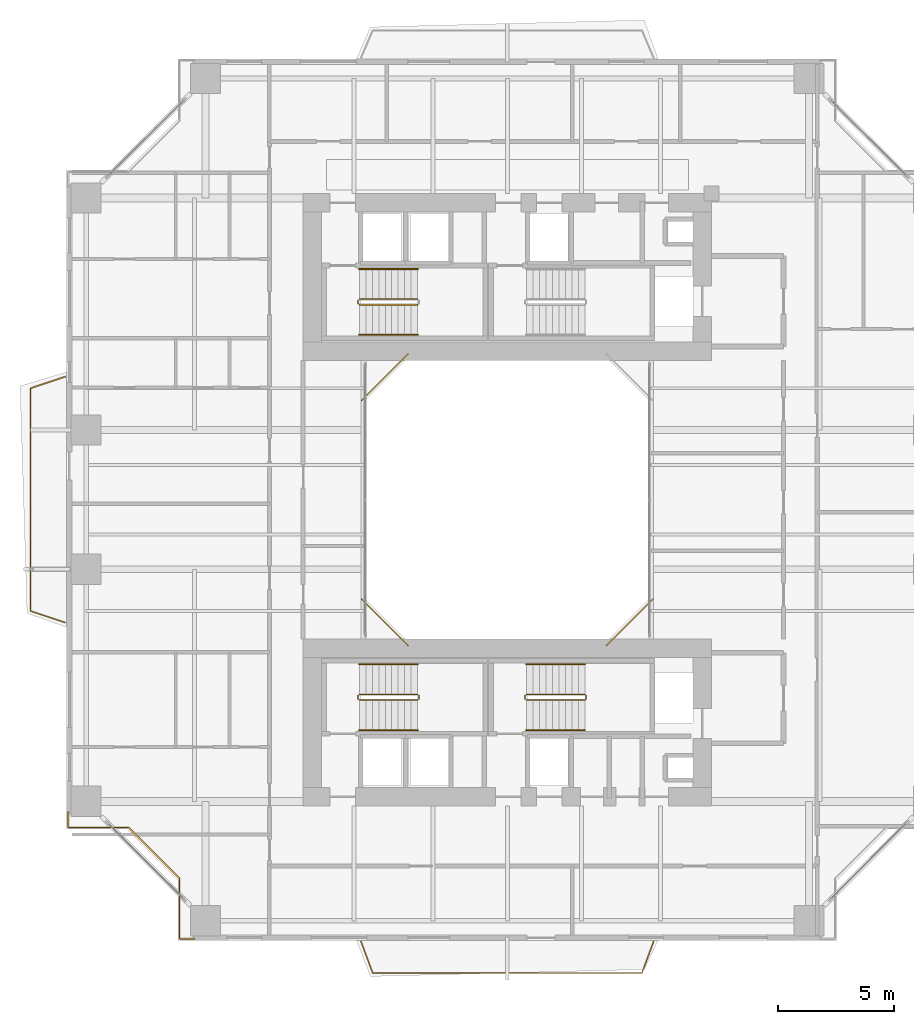
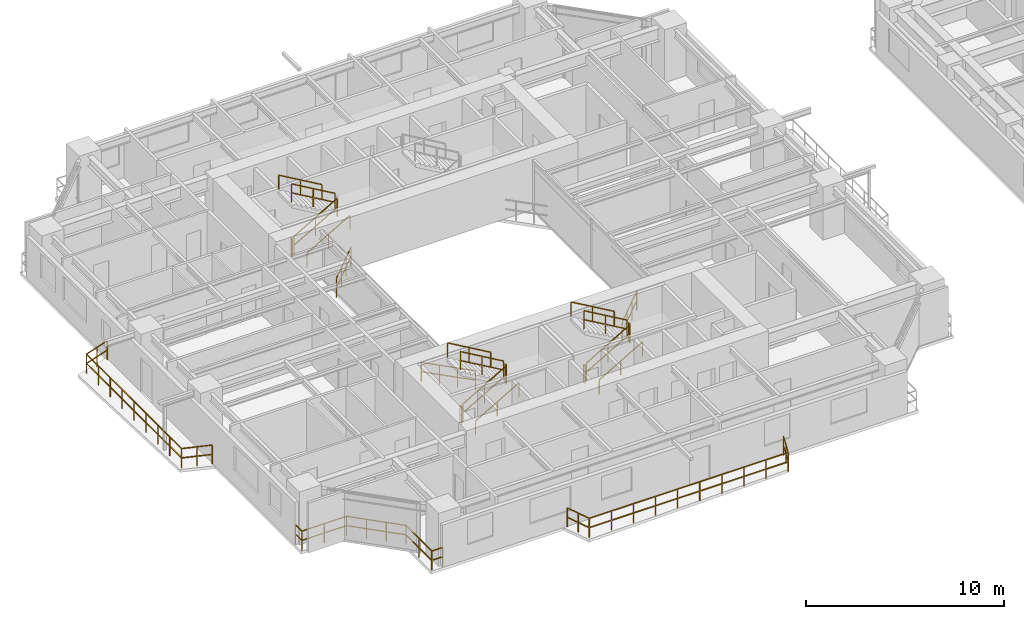
# One storey, part 20 of 23: 23 railings.
"""IFC4 building model written with IfcOpenShell, lengths in metres."""

from ifc_helpers import new_model, si_unit, direction, frame, origin, origin_2d, place, context, subcontext, project, spatial, rectangle, extrude, material, type_object, element, save


model = new_model("IFC4")

# Units and contexts
model_context = context("Model", 3, precision=1e-05, world=origin(), true_north=direction((0.0, 1.0)))
body_context = subcontext(model_context, "Body", "Model", "MODEL_VIEW")
ifc_project = project(units=[si_unit("LENGTHUNIT", "METRE"), si_unit("AREAUNIT", "SQUARE_METRE"), si_unit("VOLUMEUNIT", "CUBIC_METRE"), si_unit("PLANEANGLEUNIT", "RADIAN"), si_unit("MASSUNIT", "GRAM", prefix="KILO"), si_unit("THERMODYNAMICTEMPERATUREUNIT", "KELVIN"), si_unit("POWERUNIT", "WATT")], contexts=[model_context])

# Site, building, storey
site_placement = place(None, origin())
site = spatial("IfcSite", under=ifc_project, at=site_placement, CompositionType="ELEMENT")
building_placement = place(site_placement, origin())
building = spatial("IfcBuilding", under=site, at=building_placement, Name="Qiaomeng Ring Towers", CompositionType="ELEMENT")
storey_placement = place(building_placement, frame((0.0, 0.0, 66.5)))
storey = spatial("IfcBuildingStorey", under=building, at=storey_placement, Name="L18", CompositionType="ELEMENT", Elevation=66.5)

# Railings
ifc_material_1 = material(Name="Low-E pale-green laminated safety glass", Category="glass")
railing_type_1 = type_object("IfcRailingType", Name="ARC-RL-BAL1", PredefinedType="BALUSTRADE", material=ifc_material_1)
railing_1_placement = place(storey_placement, frame((23.280029296875, 16.719970703125, 0.0)))
element("IfcRailing", 1, at=railing_1_placement, inside=storey, type_object=railing_type_1, Name="L18 Balustrade ARC-BAL-WELL1-L18-1", PredefinedType="BALUSTRADE", context=body_context, shape_type="SweptSolid", body=[
    extrude(rectangle(XDim=0.048095703125, YDim=0.048095703125, at=origin_2d()), frame((0.0, 0.0, 1.17578125), z_axis=(0.707106781187, 0.707106781187, 0.0), x_axis=(-0.707106781187, 0.707106781187, 0.0)), (0.0, 0.0, 1.0), 2.828369140625),
    extrude(rectangle(XDim=0.048095703125, YDim=0.048095703125, at=origin_2d()), frame((0.0, 0.0, 0.60009765625), z_axis=(0.707106781187, 0.707106781187, 0.0), x_axis=(-0.707106781187, 0.707106781187, 0.0)), (0.0, 0.0, 1.0), 2.828369140625),
    extrude(rectangle(XDim=0.0419921875, YDim=0.0419921875, at=origin_2d()), origin(), (0.0, 0.0, 1.0), 1.15185546875),
    extrude(rectangle(XDim=0.0419921875, YDim=0.0419921875, at=origin_2d()), frame((0.666748046875, 0.666748046875, 0.0)), (0.0, 0.0, 1.0), 1.15185546875),
    extrude(rectangle(XDim=0.0419921875, YDim=0.0419921875, at=origin_2d()), frame((1.333251953125, 1.333251953125, 0.0)), (0.0, 0.0, 1.0), 1.15185546875),
    extrude(rectangle(XDim=0.0419921875, YDim=0.0419921875, at=origin_2d()), frame((2.0, 2.0, 0.0)), (0.0, 0.0, 1.0), 1.15185546875),
])
railing_2_placement = place(storey_placement, frame((14.719970703125, 29.280029296875, 0.0)))
element("IfcRailing", 2, at=railing_2_placement, inside=storey, type_object=railing_type_1, Name="L18 Balustrade ARC-BAL-WELL1-L18-3", PredefinedType="BALUSTRADE", context=body_context, shape_type="SweptSolid", body=[
    extrude(rectangle(XDim=0.048095703125, YDim=0.048095703125, at=origin_2d()), frame((0.0, 0.0, 1.17578125), z_axis=(-0.707106781187, -0.707106781187, 0.0), x_axis=(0.707106781187, -0.707106781187, 0.0)), (0.0, 0.0, 1.0), 2.828369140625),
    extrude(rectangle(XDim=0.048095703125, YDim=0.048095703125, at=origin_2d()), frame((0.0, 0.0, 0.60009765625), z_axis=(-0.707106781187, -0.707106781187, 0.0), x_axis=(0.707106781187, -0.707106781187, 0.0)), (0.0, 0.0, 1.0), 2.828369140625),
    extrude(rectangle(XDim=0.0419921875, YDim=0.0419921875, at=origin_2d()), origin(), (0.0, 0.0, 1.0), 1.15185546875),
    extrude(rectangle(XDim=0.0419921875, YDim=0.0419921875, at=origin_2d()), frame((-0.666748046875, -0.666748046875, 0.0)), (0.0, 0.0, 1.0), 1.15185546875),
    extrude(rectangle(XDim=0.0419921875, YDim=0.0419921875, at=origin_2d()), frame((-1.333251953125, -1.333251953125, 0.0)), (0.0, 0.0, 1.0), 1.15185546875),
    extrude(rectangle(XDim=0.0419921875, YDim=0.0419921875, at=origin_2d()), frame((-2.0, -2.0, 0.0)), (0.0, 0.0, 1.0), 1.15185546875),
])
railing_3_placement = place(storey_placement, frame((12.719970703125, 18.719970703125, 0.0)))
element("IfcRailing", 3, at=railing_3_placement, inside=storey, type_object=railing_type_1, Name="L18 Balustrade ARC-BAL-WELL1-L18-4", PredefinedType="BALUSTRADE", context=body_context, shape_type="SweptSolid", body=[
    extrude(rectangle(XDim=0.048095703125, YDim=0.048095703125, at=origin_2d()), frame((0.0, 0.0, 1.17578125), z_axis=(0.707106781187, -0.707106781187, 0.0), x_axis=(0.707106781187, 0.707106781187, 0.0)), (0.0, 0.0, 1.0), 2.828369140625),
    extrude(rectangle(XDim=0.048095703125, YDim=0.048095703125, at=origin_2d()), frame((0.0, 0.0, 0.60009765625), z_axis=(0.707106781187, -0.707106781187, 0.0), x_axis=(0.707106781187, 0.707106781187, 0.0)), (0.0, 0.0, 1.0), 2.828369140625),
    extrude(rectangle(XDim=0.0419921875, YDim=0.0419921875, at=origin_2d()), origin(), (0.0, 0.0, 1.0), 1.15185546875),
    extrude(rectangle(XDim=0.0419921875, YDim=0.0419921875, at=origin_2d()), frame((0.666748046875, -0.666748046875, 0.0)), (0.0, 0.0, 1.0), 1.15185546875),
    extrude(rectangle(XDim=0.0419921875, YDim=0.0419921875, at=origin_2d()), frame((1.333251953125, -1.333251953125, 0.0)), (0.0, 0.0, 1.0), 1.15185546875),
    extrude(rectangle(XDim=0.0419921875, YDim=0.0419921875, at=origin_2d()), frame((2.0, -2.0, 0.0)), (0.0, 0.0, 1.0), 1.15185546875),
])
railing_4_placement = place(storey_placement, frame((0.080078125, 9.530029296875, 0.0)))
element("IfcRailing", 4, at=railing_4_placement, inside=storey, type_object=railing_type_1, Name="L18 Balustrade ARC-BAL-NOTCH1-L18-SW", PredefinedType="BALUSTRADE", context=body_context, shape_type="SweptSolid", body=[
    extrude(rectangle(XDim=0.048095703125, YDim=0.048095703125, at=origin_2d()), frame((0.0, 0.0, 1.17578125), z_axis=(0.0, -1.0, 0.0), x_axis=(1.0, 0.0, 0.0)), (0.0, 0.0, 1.0), 0.650146484375),
    extrude(rectangle(XDim=0.048095703125, YDim=0.048095703125, at=origin_2d()), frame((0.0, 0.0, 0.60009765625), z_axis=(0.0, -1.0, 0.0), x_axis=(1.0, 0.0, 0.0)), (0.0, 0.0, 1.0), 0.650146484375),
    extrude(rectangle(XDim=0.048095703125, YDim=0.048095703125, at=origin_2d()), frame((0.0, -0.650146484375, 1.17578125), z_axis=(1.0, 0.0, 0.0), x_axis=(0.0, 1.0, 0.0)), (0.0, 0.0, 1.0), 2.599853515625),
    extrude(rectangle(XDim=0.048095703125, YDim=0.048095703125, at=origin_2d()), frame((0.0, -0.650146484375, 0.60009765625), z_axis=(1.0, 0.0, 0.0), x_axis=(0.0, 1.0, 0.0)), (0.0, 0.0, 1.0), 2.599853515625),
    extrude(rectangle(XDim=0.048095703125, YDim=0.048095703125, at=origin_2d()), frame((2.599853515625, -0.650146484375, 1.17578125), z_axis=(0.707106781187, -0.707106781187, 0.0), x_axis=(0.707106781187, 0.707106781187, 0.0)), (0.0, 0.0, 1.0), 3.111083984375),
    extrude(rectangle(XDim=0.048095703125, YDim=0.048095703125, at=origin_2d()), frame((2.599853515625, -0.650146484375, 0.60009765625), z_axis=(0.707106781187, -0.707106781187, 0.0), x_axis=(0.707106781187, 0.707106781187, 0.0)), (0.0, 0.0, 1.0), 3.111083984375),
    extrude(rectangle(XDim=0.048095703125, YDim=0.048095703125, at=origin_2d()), frame((4.7998046875, -2.85009765625, 1.17578125), z_axis=(0.0, -1.0, 0.0), x_axis=(1.0, 0.0, 0.0)), (0.0, 0.0, 1.0), 2.599853515625),
    extrude(rectangle(XDim=0.048095703125, YDim=0.048095703125, at=origin_2d()), frame((4.7998046875, -2.85009765625, 0.60009765625), z_axis=(0.0, -1.0, 0.0), x_axis=(1.0, 0.0, 0.0)), (0.0, 0.0, 1.0), 2.599853515625),
    extrude(rectangle(XDim=0.048095703125, YDim=0.048095703125, at=origin_2d()), frame((4.7998046875, -5.449951171875, 1.17578125), z_axis=(1.0, 0.0, 0.0), x_axis=(0.0, 1.0, 0.0)), (0.0, 0.0, 1.0), 0.650146484375),
    extrude(rectangle(XDim=0.048095703125, YDim=0.048095703125, at=origin_2d()), frame((4.7998046875, -5.449951171875, 0.60009765625), z_axis=(1.0, 0.0, 0.0), x_axis=(0.0, 1.0, 0.0)), (0.0, 0.0, 1.0), 0.650146484375),
    extrude(rectangle(XDim=0.0419921875, YDim=0.0419921875, at=origin_2d()), origin(), (0.0, 0.0, 1.0), 1.15185546875),
    extrude(rectangle(XDim=0.0419921875, YDim=0.0419921875, at=origin_2d()), frame((0.0, -0.650146484375, 0.0)), (0.0, 0.0, 1.0), 1.15185546875),
    extrude(rectangle(XDim=0.0419921875, YDim=0.0419921875, at=origin_2d()), frame((1.2998046875, -0.650146484375, 0.0)), (0.0, 0.0, 1.0), 1.15185546875),
    extrude(rectangle(XDim=0.0419921875, YDim=0.0419921875, at=origin_2d()), frame((2.599853515625, -0.650146484375, 0.0)), (0.0, 0.0, 1.0), 1.15185546875),
    extrude(rectangle(XDim=0.0419921875, YDim=0.0419921875, at=origin_2d()), frame((3.333251953125, -1.383544921875, 0.0)), (0.0, 0.0, 1.0), 1.15185546875),
    extrude(rectangle(XDim=0.0419921875, YDim=0.0419921875, at=origin_2d()), frame((4.06640625, -2.11669921875, 0.0)), (0.0, 0.0, 1.0), 1.15185546875),
    extrude(rectangle(XDim=0.0419921875, YDim=0.0419921875, at=origin_2d()), frame((4.7998046875, -2.85009765625, 0.0)), (0.0, 0.0, 1.0), 1.15185546875),
    extrude(rectangle(XDim=0.0419921875, YDim=0.0419921875, at=origin_2d()), frame((4.7998046875, -4.14990234375, 0.0)), (0.0, 0.0, 1.0), 1.15185546875),
    extrude(rectangle(XDim=0.0419921875, YDim=0.0419921875, at=origin_2d()), frame((4.7998046875, -5.449951171875, 0.0)), (0.0, 0.0, 1.0), 1.15185546875),
    extrude(rectangle(XDim=0.0419921875, YDim=0.0419921875, at=origin_2d()), frame((5.449951171875, -5.449951171875, 0.0)), (0.0, 0.0, 1.0), 1.15185546875),
])
railing_5_placement = place(storey_placement, frame((12.699951171875, 3.949951171875, 0.0)))
element("IfcRailing", 5, at=railing_5_placement, inside=storey, type_object=railing_type_1, Name="L18 Balustrade ARC-BAL-L18-T1-S", PredefinedType="BALUSTRADE", context=body_context, shape_type="SweptSolid", body=[
    extrude(rectangle(XDim=0.048095703125, YDim=0.048095703125, at=origin_2d()), frame((0.0, 0.0, 1.17578125), z_axis=(0.347347498827, -0.937736484871, 0.0), x_axis=(0.937736484871, 0.347347498827, 0.0)), (0.0, 0.0, 1.0), 1.439453125),
    extrude(rectangle(XDim=0.048095703125, YDim=0.048095703125, at=origin_2d()), frame((0.0, 0.0, 0.60009765625), z_axis=(0.347347498827, -0.937736484871, 0.0), x_axis=(0.937736484871, 0.347347498827, 0.0)), (0.0, 0.0, 1.0), 1.439453125),
    extrude(rectangle(XDim=0.048095703125, YDim=0.048095703125, at=origin_2d()), frame((0.5, -1.349853515625, 1.17578125), z_axis=(1.0, 0.0, 0.0), x_axis=(0.0, 1.0, 0.0)), (0.0, 0.0, 1.0), 11.60009765625),
    extrude(rectangle(XDim=0.048095703125, YDim=0.048095703125, at=origin_2d()), frame((0.5, -1.349853515625, 0.60009765625), z_axis=(1.0, 0.0, 0.0), x_axis=(0.0, 1.0, 0.0)), (0.0, 0.0, 1.0), 11.60009765625),
    extrude(rectangle(XDim=0.048095703125, YDim=0.048095703125, at=origin_2d()), frame((12.10009765625, -1.349853515625, 1.17578125), z_axis=(0.347347498827, 0.937736484871, 0.0), x_axis=(-0.937736484871, 0.347347498827, 0.0)), (0.0, 0.0, 1.0), 1.439453125),
    extrude(rectangle(XDim=0.048095703125, YDim=0.048095703125, at=origin_2d()), frame((12.10009765625, -1.349853515625, 0.60009765625), z_axis=(0.347347498827, 0.937736484871, 0.0), x_axis=(-0.937736484871, 0.347347498827, 0.0)), (0.0, 0.0, 1.0), 1.439453125),
    extrude(rectangle(XDim=0.0419921875, YDim=0.0419921875, at=origin_2d()), origin(), (0.0, 0.0, 1.0), 1.15185546875),
    extrude(rectangle(XDim=0.0419921875, YDim=0.0419921875, at=origin_2d()), frame((0.25, -0.6748046875, 0.0)), (0.0, 0.0, 1.0), 1.15185546875),
    extrude(rectangle(XDim=0.0419921875, YDim=0.0419921875, at=origin_2d()), frame((0.5, -1.349853515625, 0.0)), (0.0, 0.0, 1.0), 1.15185546875),
    extrude(rectangle(XDim=0.0419921875, YDim=0.0419921875, at=origin_2d()), frame((1.788818359375, -1.349853515625, 0.0)), (0.0, 0.0, 1.0), 1.15185546875),
    extrude(rectangle(XDim=0.0419921875, YDim=0.0419921875, at=origin_2d()), frame((3.077880859375, -1.349853515625, 0.0)), (0.0, 0.0, 1.0), 1.15185546875),
    extrude(rectangle(XDim=0.0419921875, YDim=0.0419921875, at=origin_2d()), frame((4.36669921875, -1.349853515625, 0.0)), (0.0, 0.0, 1.0), 1.15185546875),
    extrude(rectangle(XDim=0.0419921875, YDim=0.0419921875, at=origin_2d()), frame((5.655517578125, -1.349853515625, 0.0)), (0.0, 0.0, 1.0), 1.15185546875),
    extrude(rectangle(XDim=0.0419921875, YDim=0.0419921875, at=origin_2d()), frame((6.944580078125, -1.349853515625, 0.0)), (0.0, 0.0, 1.0), 1.15185546875),
    extrude(rectangle(XDim=0.0419921875, YDim=0.0419921875, at=origin_2d()), frame((8.2333984375, -1.349853515625, 0.0)), (0.0, 0.0, 1.0), 1.15185546875),
    extrude(rectangle(XDim=0.0419921875, YDim=0.0419921875, at=origin_2d()), frame((9.522216796875, -1.349853515625, 0.0)), (0.0, 0.0, 1.0), 1.15185546875),
    extrude(rectangle(XDim=0.0419921875, YDim=0.0419921875, at=origin_2d()), frame((10.811279296875, -1.349853515625, 0.0)), (0.0, 0.0, 1.0), 1.15185546875),
    extrude(rectangle(XDim=0.0419921875, YDim=0.0419921875, at=origin_2d()), frame((12.10009765625, -1.349853515625, 0.0)), (0.0, 0.0, 1.0), 1.15185546875),
    extrude(rectangle(XDim=0.0419921875, YDim=0.0419921875, at=origin_2d()), frame((12.35009765625, -0.6748046875, 0.0)), (0.0, 0.0, 1.0), 1.15185546875),
    extrude(rectangle(XDim=0.0419921875, YDim=0.0419921875, at=origin_2d()), frame((12.60009765625, 0.0, 0.0)), (0.0, 0.0, 1.0), 1.15185546875),
])
railing_6_placement = place(storey_placement, frame((-0.050048828125, 17.699951171875, 0.0)))
element("IfcRailing", 6, at=railing_6_placement, inside=storey, type_object=railing_type_1, Name="L18 Balustrade ARC-BAL-L18-T1-W", PredefinedType="BALUSTRADE", context=body_context, shape_type="SweptSolid", body=[
    extrude(rectangle(XDim=0.048095703125, YDim=0.048095703125, at=origin_2d()), frame((0.0, 0.0, 1.17578125), z_axis=(-0.948683298051, 0.316227766017, 0.0), x_axis=(-0.316227766017, -0.948683298051, 0.0)), (0.0, 0.0, 1.0), 1.5810546875),
    extrude(rectangle(XDim=0.048095703125, YDim=0.048095703125, at=origin_2d()), frame((0.0, 0.0, 0.60009765625), z_axis=(-0.948683298051, 0.316227766017, 0.0), x_axis=(-0.316227766017, -0.948683298051, 0.0)), (0.0, 0.0, 1.0), 1.5810546875),
    extrude(rectangle(XDim=0.048095703125, YDim=0.048095703125, at=origin_2d()), frame((-1.5, 0.5, 1.17578125), z_axis=(0.0, 1.0, 0.0), x_axis=(-1.0, 0.0, 0.0)), (0.0, 0.0, 1.0), 9.60009765625),
    extrude(rectangle(XDim=0.048095703125, YDim=0.048095703125, at=origin_2d()), frame((-1.5, 0.5, 0.60009765625), z_axis=(0.0, 1.0, 0.0), x_axis=(-1.0, 0.0, 0.0)), (0.0, 0.0, 1.0), 9.60009765625),
    extrude(rectangle(XDim=0.048095703125, YDim=0.048095703125, at=origin_2d()), frame((-1.5, 10.10009765625, 1.17578125), z_axis=(0.948683298051, 0.316227766017, 0.0), x_axis=(-0.316227766017, 0.948683298051, 0.0)), (0.0, 0.0, 1.0), 1.5810546875),
    extrude(rectangle(XDim=0.048095703125, YDim=0.048095703125, at=origin_2d()), frame((-1.5, 10.10009765625, 0.60009765625), z_axis=(0.948683298051, 0.316227766017, 0.0), x_axis=(-0.316227766017, 0.948683298051, 0.0)), (0.0, 0.0, 1.0), 1.5810546875),
    extrude(rectangle(XDim=0.0419921875, YDim=0.0419921875, at=origin_2d()), origin(), (0.0, 0.0, 1.0), 1.15185546875),
    extrude(rectangle(XDim=0.0419921875, YDim=0.0419921875, at=origin_2d()), frame((-0.75, 0.25, 0.0)), (0.0, 0.0, 1.0), 1.15185546875),
    extrude(rectangle(XDim=0.0419921875, YDim=0.0419921875, at=origin_2d()), frame((-1.5, 0.5, 0.0)), (0.0, 0.0, 1.0), 1.15185546875),
    extrude(rectangle(XDim=0.0419921875, YDim=0.0419921875, at=origin_2d()), frame((-1.5, 1.699951171875, 0.0)), (0.0, 0.0, 1.0), 1.15185546875),
    extrude(rectangle(XDim=0.0419921875, YDim=0.0419921875, at=origin_2d()), frame((-1.5, 2.89990234375, 0.0)), (0.0, 0.0, 1.0), 1.15185546875),
    extrude(rectangle(XDim=0.0419921875, YDim=0.0419921875, at=origin_2d()), frame((-1.5, 4.10009765625, 0.0)), (0.0, 0.0, 1.0), 1.15185546875),
    extrude(rectangle(XDim=0.0419921875, YDim=0.0419921875, at=origin_2d()), frame((-1.5, 5.300048828125, 0.0)), (0.0, 0.0, 1.0), 1.15185546875),
    extrude(rectangle(XDim=0.0419921875, YDim=0.0419921875, at=origin_2d()), frame((-1.5, 6.5, 0.0)), (0.0, 0.0, 1.0), 1.15185546875),
    extrude(rectangle(XDim=0.0419921875, YDim=0.0419921875, at=origin_2d()), frame((-1.5, 7.7001953125, 0.0)), (0.0, 0.0, 1.0), 1.15185546875),
    extrude(rectangle(XDim=0.0419921875, YDim=0.0419921875, at=origin_2d()), frame((-1.5, 8.900146484375, 0.0)), (0.0, 0.0, 1.0), 1.15185546875),
    extrude(rectangle(XDim=0.0419921875, YDim=0.0419921875, at=origin_2d()), frame((-1.5, 10.10009765625, 0.0)), (0.0, 0.0, 1.0), 1.15185546875),
    extrude(rectangle(XDim=0.0419921875, YDim=0.0419921875, at=origin_2d()), frame((-0.75, 10.35009765625, 0.0)), (0.0, 0.0, 1.0), 1.15185546875),
    extrude(rectangle(XDim=0.0419921875, YDim=0.0419921875, at=origin_2d()), frame((0.0, 10.60009765625, 0.0)), (0.0, 0.0, 1.0), 1.15185546875),
])
ifc_material_2 = material(Name="Galvanised steel", Category="steel")
railing_type_2 = type_object("IfcRailingType", Name="ARC-RL-GUARD", PredefinedType="GUARDRAIL", material=ifc_material_2)
railing_7_placement = place(storey_placement, frame((12.6201171875, 31.39990234375, 0.16259765625)))
element("IfcRailing", 7, at=railing_7_placement, inside=storey, type_object=railing_type_2, Name="L18 ST1 stair guard 1", PredefinedType="GUARDRAIL", context=body_context, shape_type="SweptSolid", body=[
    extrude(rectangle(XDim=0.048095703125, YDim=0.048095703125, at=origin_2d()), frame((0.0, 0.0, 1.1259765625), z_axis=(0.864892226395, 0.0, 0.501957604506), x_axis=(0.0, 1.0, 0.0)), (0.0, 0.0, 1.0), 2.913330078125),
    extrude(rectangle(XDim=0.048095703125, YDim=0.048095703125, at=origin_2d()), frame((0.0, 0.0, 0.574951171875), z_axis=(0.864892226395, 0.0, 0.501957604506), x_axis=(0.0, 1.0, 0.0)), (0.0, 0.0, 1.0), 2.913330078125),
    extrude(rectangle(XDim=0.0419921875, YDim=0.0419921875, at=origin_2d()), origin(), (0.0, 0.0, 1.0), 1.101806640625),
    extrude(rectangle(XDim=0.0419921875, YDim=0.0419921875, at=origin_2d()), frame((1.259765625, 0.0, 0.731201171875)), (0.0, 0.0, 1.0), 1.101806640625),
    extrude(rectangle(XDim=0.0419921875, YDim=0.0419921875, at=origin_2d()), frame((2.519775390625, 0.0, 1.46240234375)), (0.0, 0.0, 1.0), 1.101806640625),
])
railing_8_placement = place(storey_placement, frame((15.139892578125, 31.639892578125, 1.78759765625)))
element("IfcRailing", 8, at=railing_8_placement, inside=storey, type_object=railing_type_2, Name="L18 ST1 stair guard 3", PredefinedType="GUARDRAIL", context=body_context, shape_type="SweptSolid", body=[
    extrude(rectangle(XDim=0.048095703125, YDim=0.048095703125, at=origin_2d()), frame((0.0, 0.0, 1.1259765625), z_axis=(-0.864892226395, 0.0, 0.501957604506), x_axis=(0.0, -1.0, 0.0)), (0.0, 0.0, 1.0), 2.913330078125),
    extrude(rectangle(XDim=0.048095703125, YDim=0.048095703125, at=origin_2d()), frame((0.0, 0.0, 0.574951171875), z_axis=(-0.864892226395, 0.0, 0.501957604506), x_axis=(0.0, -1.0, 0.0)), (0.0, 0.0, 1.0), 2.913330078125),
    extrude(rectangle(XDim=0.0419921875, YDim=0.0419921875, at=origin_2d()), origin(), (0.0, 0.0, 1.0), 1.101806640625),
    extrude(rectangle(XDim=0.0419921875, YDim=0.0419921875, at=origin_2d()), frame((-1.259765625, 0.0, 0.731201171875)), (0.0, 0.0, 1.0), 1.101806640625),
    extrude(rectangle(XDim=0.0419921875, YDim=0.0419921875, at=origin_2d()), frame((-2.519775390625, 0.0, 1.46240234375)), (0.0, 0.0, 1.0), 1.101806640625),
])
railing_9_placement = place(storey_placement, frame((12.570068359375, 31.449951171875, 0.0)))
element("IfcRailing", 9, at=railing_9_placement, inside=storey, type_object=railing_type_2, Name="L18 ST1 stair guard 4", PredefinedType="GUARDRAIL", context=body_context, shape_type="SweptSolid", body=[
    extrude(rectangle(XDim=0.048095703125, YDim=0.048095703125, at=origin_2d()), frame((0.0, 0.0, 1.1259765625), z_axis=(0.0, 1.0, 0.0), x_axis=(-1.0, 0.0, 0.0)), (0.0, 0.0, 1.0), 0.14013671875),
    extrude(rectangle(XDim=0.048095703125, YDim=0.048095703125, at=origin_2d()), frame((0.0, 0.0, 0.574951171875), z_axis=(0.0, 1.0, 0.0), x_axis=(-1.0, 0.0, 0.0)), (0.0, 0.0, 1.0), 0.14013671875),
    extrude(rectangle(XDim=0.0419921875, YDim=0.0419921875, at=origin_2d()), origin(), (0.0, 0.0, 1.0), 1.101806640625),
    extrude(rectangle(XDim=0.0419921875, YDim=0.0419921875, at=origin_2d()), frame((0.0, 0.14013671875, 0.0)), (0.0, 0.0, 1.0), 1.101806640625),
])
railing_10_placement = place(storey_placement, frame((12.6201171875, 14.360107421875, 0.16259765625)))
element("IfcRailing", 10, at=railing_10_placement, inside=storey, type_object=railing_type_2, Name="L18 ST3 stair guard 1", PredefinedType="GUARDRAIL", context=body_context, shape_type="SweptSolid", body=[
    extrude(rectangle(XDim=0.048095703125, YDim=0.048095703125, at=origin_2d()), frame((0.0, 0.0, 1.1259765625), z_axis=(0.864892226395, 0.0, 0.501957604506), x_axis=(0.0, 1.0, 0.0)), (0.0, 0.0, 1.0), 2.913330078125),
    extrude(rectangle(XDim=0.048095703125, YDim=0.048095703125, at=origin_2d()), frame((0.0, 0.0, 0.574951171875), z_axis=(0.864892226395, 0.0, 0.501957604506), x_axis=(0.0, 1.0, 0.0)), (0.0, 0.0, 1.0), 2.913330078125),
    extrude(rectangle(XDim=0.0419921875, YDim=0.0419921875, at=origin_2d()), origin(), (0.0, 0.0, 1.0), 1.101806640625),
    extrude(rectangle(XDim=0.0419921875, YDim=0.0419921875, at=origin_2d()), frame((1.259765625, 0.0, 0.731201171875)), (0.0, 0.0, 1.0), 1.101806640625),
    extrude(rectangle(XDim=0.0419921875, YDim=0.0419921875, at=origin_2d()), frame((2.519775390625, 0.0, 1.46240234375)), (0.0, 0.0, 1.0), 1.101806640625),
])
railing_11_placement = place(storey_placement, frame((15.18994140625, 14.409912109375, 1.625)))
element("IfcRailing", 11, at=railing_11_placement, inside=storey, type_object=railing_type_2, Name="L18 ST3 stair guard 2", PredefinedType="GUARDRAIL", context=body_context, shape_type="SweptSolid", body=[
    extrude(rectangle(XDim=0.048095703125, YDim=0.048095703125, at=origin_2d()), frame((0.0, 0.0, 1.1259765625), z_axis=(0.0, 1.0, 0.0), x_axis=(-1.0, 0.0, 0.0)), (0.0, 0.0, 1.0), 0.14013671875),
    extrude(rectangle(XDim=0.048095703125, YDim=0.048095703125, at=origin_2d()), frame((0.0, 0.0, 0.574951171875), z_axis=(0.0, 1.0, 0.0), x_axis=(-1.0, 0.0, 0.0)), (0.0, 0.0, 1.0), 0.14013671875),
    extrude(rectangle(XDim=0.0419921875, YDim=0.0419921875, at=origin_2d()), origin(), (0.0, 0.0, 1.0), 1.101806640625),
    extrude(rectangle(XDim=0.0419921875, YDim=0.0419921875, at=origin_2d()), frame((0.0, 0.14013671875, 0.0)), (0.0, 0.0, 1.0), 1.101806640625),
])
railing_12_placement = place(storey_placement, frame((15.139892578125, 14.60009765625, 1.78759765625)))
element("IfcRailing", 12, at=railing_12_placement, inside=storey, type_object=railing_type_2, Name="L18 ST3 stair guard 3", PredefinedType="GUARDRAIL", context=body_context, shape_type="SweptSolid", body=[
    extrude(rectangle(XDim=0.048095703125, YDim=0.048095703125, at=origin_2d()), frame((0.0, 0.0, 1.1259765625), z_axis=(-0.864892226395, 0.0, 0.501957604506), x_axis=(0.0, -1.0, 0.0)), (0.0, 0.0, 1.0), 2.913330078125),
    extrude(rectangle(XDim=0.048095703125, YDim=0.048095703125, at=origin_2d()), frame((0.0, 0.0, 0.574951171875), z_axis=(-0.864892226395, 0.0, 0.501957604506), x_axis=(0.0, -1.0, 0.0)), (0.0, 0.0, 1.0), 2.913330078125),
    extrude(rectangle(XDim=0.0419921875, YDim=0.0419921875, at=origin_2d()), origin(), (0.0, 0.0, 1.0), 1.101806640625),
    extrude(rectangle(XDim=0.0419921875, YDim=0.0419921875, at=origin_2d()), frame((-1.259765625, 0.0, 0.731201171875)), (0.0, 0.0, 1.0), 1.101806640625),
    extrude(rectangle(XDim=0.0419921875, YDim=0.0419921875, at=origin_2d()), frame((-2.519775390625, 0.0, 1.46240234375)), (0.0, 0.0, 1.0), 1.101806640625),
])
railing_13_placement = place(storey_placement, frame((12.570068359375, 14.409912109375, 0.0)))
element("IfcRailing", 13, at=railing_13_placement, inside=storey, type_object=railing_type_2, Name="L18 ST3 stair guard 4", PredefinedType="GUARDRAIL", context=body_context, shape_type="SweptSolid", body=[
    extrude(rectangle(XDim=0.048095703125, YDim=0.048095703125, at=origin_2d()), frame((0.0, 0.0, 1.1259765625), z_axis=(0.0, 1.0, 0.0), x_axis=(-1.0, 0.0, 0.0)), (0.0, 0.0, 1.0), 0.14013671875),
    extrude(rectangle(XDim=0.048095703125, YDim=0.048095703125, at=origin_2d()), frame((0.0, 0.0, 0.574951171875), z_axis=(0.0, 1.0, 0.0), x_axis=(-1.0, 0.0, 0.0)), (0.0, 0.0, 1.0), 0.14013671875),
    extrude(rectangle(XDim=0.0419921875, YDim=0.0419921875, at=origin_2d()), origin(), (0.0, 0.0, 1.0), 1.101806640625),
    extrude(rectangle(XDim=0.0419921875, YDim=0.0419921875, at=origin_2d()), frame((0.0, 0.14013671875, 0.0)), (0.0, 0.0, 1.0), 1.101806640625),
])
railing_14_placement = place(storey_placement, frame((19.820068359375, 14.360107421875, 0.16259765625)))
element("IfcRailing", 14, at=railing_14_placement, inside=storey, type_object=railing_type_2, Name="L18 ST4 stair guard 1", PredefinedType="GUARDRAIL", context=body_context, shape_type="SweptSolid", body=[
    extrude(rectangle(XDim=0.048095703125, YDim=0.048095703125, at=origin_2d()), frame((0.0, 0.0, 1.1259765625), z_axis=(0.864913338283, 0.0, 0.50192122615), x_axis=(0.0, 1.0, 0.0)), (0.0, 0.0, 1.0), 2.91357421875),
    extrude(rectangle(XDim=0.048095703125, YDim=0.048095703125, at=origin_2d()), frame((0.0, 0.0, 0.574951171875), z_axis=(0.864913338283, 0.0, 0.50192122615), x_axis=(0.0, 1.0, 0.0)), (0.0, 0.0, 1.0), 2.91357421875),
    extrude(rectangle(XDim=0.0419921875, YDim=0.0419921875, at=origin_2d()), origin(), (0.0, 0.0, 1.0), 1.101806640625),
    extrude(rectangle(XDim=0.0419921875, YDim=0.0419921875, at=origin_2d()), frame((1.260009765625, 0.0, 0.731201171875)), (0.0, 0.0, 1.0), 1.101806640625),
    extrude(rectangle(XDim=0.0419921875, YDim=0.0419921875, at=origin_2d()), frame((2.52001953125, 0.0, 1.46240234375)), (0.0, 0.0, 1.0), 1.101806640625),
])
railing_15_placement = place(storey_placement, frame((22.389892578125, 14.409912109375, 1.625)))
element("IfcRailing", 15, at=railing_15_placement, inside=storey, type_object=railing_type_2, Name="L18 ST4 stair guard 2", PredefinedType="GUARDRAIL", context=body_context, shape_type="SweptSolid", body=[
    extrude(rectangle(XDim=0.048095703125, YDim=0.048095703125, at=origin_2d()), frame((0.0, 0.0, 1.1259765625), z_axis=(0.0, 1.0, 0.0), x_axis=(-1.0, 0.0, 0.0)), (0.0, 0.0, 1.0), 0.14013671875),
    extrude(rectangle(XDim=0.048095703125, YDim=0.048095703125, at=origin_2d()), frame((0.0, 0.0, 0.574951171875), z_axis=(0.0, 1.0, 0.0), x_axis=(-1.0, 0.0, 0.0)), (0.0, 0.0, 1.0), 0.14013671875),
    extrude(rectangle(XDim=0.0419921875, YDim=0.0419921875, at=origin_2d()), origin(), (0.0, 0.0, 1.0), 1.101806640625),
    extrude(rectangle(XDim=0.0419921875, YDim=0.0419921875, at=origin_2d()), frame((0.0, 0.14013671875, 0.0)), (0.0, 0.0, 1.0), 1.101806640625),
])
railing_16_placement = place(storey_placement, frame((22.340087890625, 14.60009765625, 1.78759765625)))
element("IfcRailing", 16, at=railing_16_placement, inside=storey, type_object=railing_type_2, Name="L18 ST4 stair guard 3", PredefinedType="GUARDRAIL", context=body_context, shape_type="SweptSolid", body=[
    extrude(rectangle(XDim=0.048095703125, YDim=0.048095703125, at=origin_2d()), frame((0.0, 0.0, 1.1259765625), z_axis=(-0.864913338283, 0.0, 0.50192122615), x_axis=(0.0, -1.0, 0.0)), (0.0, 0.0, 1.0), 2.91357421875),
    extrude(rectangle(XDim=0.048095703125, YDim=0.048095703125, at=origin_2d()), frame((0.0, 0.0, 0.574951171875), z_axis=(-0.864913338283, 0.0, 0.50192122615), x_axis=(0.0, -1.0, 0.0)), (0.0, 0.0, 1.0), 2.91357421875),
    extrude(rectangle(XDim=0.0419921875, YDim=0.0419921875, at=origin_2d()), origin(), (0.0, 0.0, 1.0), 1.101806640625),
    extrude(rectangle(XDim=0.0419921875, YDim=0.0419921875, at=origin_2d()), frame((-1.260009765625, 0.0, 0.731201171875)), (0.0, 0.0, 1.0), 1.101806640625),
    extrude(rectangle(XDim=0.0419921875, YDim=0.0419921875, at=origin_2d()), frame((-2.52001953125, 0.0, 1.46240234375)), (0.0, 0.0, 1.0), 1.101806640625),
])
railing_17_placement = place(storey_placement, frame((19.77001953125, 14.409912109375, 0.0)))
element("IfcRailing", 17, at=railing_17_placement, inside=storey, type_object=railing_type_2, Name="L18 ST4 stair guard 4", PredefinedType="GUARDRAIL", context=body_context, shape_type="SweptSolid", body=[
    extrude(rectangle(XDim=0.048095703125, YDim=0.048095703125, at=origin_2d()), frame((0.0, 0.0, 1.1259765625), z_axis=(0.0, 1.0, 0.0), x_axis=(-1.0, 0.0, 0.0)), (0.0, 0.0, 1.0), 0.14013671875),
    extrude(rectangle(XDim=0.048095703125, YDim=0.048095703125, at=origin_2d()), frame((0.0, 0.0, 0.574951171875), z_axis=(0.0, 1.0, 0.0), x_axis=(-1.0, 0.0, 0.0)), (0.0, 0.0, 1.0), 0.14013671875),
    extrude(rectangle(XDim=0.0419921875, YDim=0.0419921875, at=origin_2d()), origin(), (0.0, 0.0, 1.0), 1.101806640625),
    extrude(rectangle(XDim=0.0419921875, YDim=0.0419921875, at=origin_2d()), frame((0.0, 0.14013671875, 0.0)), (0.0, 0.0, 1.0), 1.101806640625),
])
ifc_material_3 = material(Name="Stainless steel 316", Category="steel")
railing_type_3 = type_object("IfcRailingType", Name="ARC-RL-HAND", PredefinedType="HANDRAIL", material=ifc_material_3)
railing_18_placement = place(storey_placement, frame((12.6201171875, 30.10009765625, 0.16259765625)))
element("IfcRailing", 18, at=railing_18_placement, inside=storey, type_object=railing_type_3, Name="L18 ST1 stair handrail 1", PredefinedType="HANDRAIL", context=body_context, shape_type="SweptSolid", body=[
    extrude(rectangle(XDim=0.048095703125, YDim=0.048095703125, at=origin_2d()), frame((0.0, 0.0, 0.8759765625), z_axis=(0.864892226395, 0.0, 0.501957604506), x_axis=(0.0, 1.0, 0.0)), (0.0, 0.0, 1.0), 2.913330078125),
    extrude(rectangle(XDim=0.0419921875, YDim=0.0419921875, at=origin_2d()), origin(), (0.0, 0.0, 1.0), 0.851806640625),
    extrude(rectangle(XDim=0.0419921875, YDim=0.0419921875, at=origin_2d()), frame((1.259765625, 0.0, 0.731201171875)), (0.0, 0.0, 1.0), 0.851806640625),
    extrude(rectangle(XDim=0.0419921875, YDim=0.0419921875, at=origin_2d()), frame((2.519775390625, 0.0, 1.46240234375)), (0.0, 0.0, 1.0), 0.851806640625),
])
railing_19_placement = place(storey_placement, frame((15.139892578125, 32.93994140625, 1.78759765625)))
element("IfcRailing", 19, at=railing_19_placement, inside=storey, type_object=railing_type_3, Name="L18 ST1 stair handrail 2", PredefinedType="HANDRAIL", context=body_context, shape_type="SweptSolid", body=[
    extrude(rectangle(XDim=0.048095703125, YDim=0.048095703125, at=origin_2d()), frame((0.0, 0.0, 0.8759765625), z_axis=(-0.864892226395, 0.0, 0.501957604506), x_axis=(0.0, -1.0, 0.0)), (0.0, 0.0, 1.0), 2.913330078125),
    extrude(rectangle(XDim=0.0419921875, YDim=0.0419921875, at=origin_2d()), origin(), (0.0, 0.0, 1.0), 0.851806640625),
    extrude(rectangle(XDim=0.0419921875, YDim=0.0419921875, at=origin_2d()), frame((-1.259765625, 0.0, 0.731201171875)), (0.0, 0.0, 1.0), 0.851806640625),
    extrude(rectangle(XDim=0.0419921875, YDim=0.0419921875, at=origin_2d()), frame((-2.519775390625, 0.0, 1.46240234375)), (0.0, 0.0, 1.0), 0.851806640625),
])
railing_20_placement = place(storey_placement, frame((12.6201171875, 13.06005859375, 0.16259765625)))
element("IfcRailing", 20, at=railing_20_placement, inside=storey, type_object=railing_type_3, Name="L18 ST3 stair handrail 1", PredefinedType="HANDRAIL", context=body_context, shape_type="SweptSolid", body=[
    extrude(rectangle(XDim=0.048095703125, YDim=0.048095703125, at=origin_2d()), frame((0.0, 0.0, 0.8759765625), z_axis=(0.864892226395, 0.0, 0.501957604506), x_axis=(0.0, 1.0, 0.0)), (0.0, 0.0, 1.0), 2.913330078125),
    extrude(rectangle(XDim=0.0419921875, YDim=0.0419921875, at=origin_2d()), origin(), (0.0, 0.0, 1.0), 0.851806640625),
    extrude(rectangle(XDim=0.0419921875, YDim=0.0419921875, at=origin_2d()), frame((1.259765625, 0.0, 0.731201171875)), (0.0, 0.0, 1.0), 0.851806640625),
    extrude(rectangle(XDim=0.0419921875, YDim=0.0419921875, at=origin_2d()), frame((2.519775390625, 0.0, 1.46240234375)), (0.0, 0.0, 1.0), 0.851806640625),
])
railing_21_placement = place(storey_placement, frame((15.139892578125, 15.89990234375, 1.78759765625)))
element("IfcRailing", 21, at=railing_21_placement, inside=storey, type_object=railing_type_3, Name="L18 ST3 stair handrail 2", PredefinedType="HANDRAIL", context=body_context, shape_type="SweptSolid", body=[
    extrude(rectangle(XDim=0.048095703125, YDim=0.048095703125, at=origin_2d()), frame((0.0, 0.0, 0.8759765625), z_axis=(-0.864892226395, 0.0, 0.501957604506), x_axis=(0.0, -1.0, 0.0)), (0.0, 0.0, 1.0), 2.913330078125),
    extrude(rectangle(XDim=0.0419921875, YDim=0.0419921875, at=origin_2d()), origin(), (0.0, 0.0, 1.0), 0.851806640625),
    extrude(rectangle(XDim=0.0419921875, YDim=0.0419921875, at=origin_2d()), frame((-1.259765625, 0.0, 0.731201171875)), (0.0, 0.0, 1.0), 0.851806640625),
    extrude(rectangle(XDim=0.0419921875, YDim=0.0419921875, at=origin_2d()), frame((-2.519775390625, 0.0, 1.46240234375)), (0.0, 0.0, 1.0), 0.851806640625),
])
railing_22_placement = place(storey_placement, frame((19.820068359375, 13.06005859375, 0.16259765625)))
element("IfcRailing", 22, at=railing_22_placement, inside=storey, type_object=railing_type_3, Name="L18 ST4 stair handrail 1", PredefinedType="HANDRAIL", context=body_context, shape_type="SweptSolid", body=[
    extrude(rectangle(XDim=0.048095703125, YDim=0.048095703125, at=origin_2d()), frame((0.0, 0.0, 0.8759765625), z_axis=(0.864913338283, 0.0, 0.50192122615), x_axis=(0.0, 1.0, 0.0)), (0.0, 0.0, 1.0), 2.91357421875),
    extrude(rectangle(XDim=0.0419921875, YDim=0.0419921875, at=origin_2d()), origin(), (0.0, 0.0, 1.0), 0.851806640625),
    extrude(rectangle(XDim=0.0419921875, YDim=0.0419921875, at=origin_2d()), frame((1.260009765625, 0.0, 0.731201171875)), (0.0, 0.0, 1.0), 0.851806640625),
    extrude(rectangle(XDim=0.0419921875, YDim=0.0419921875, at=origin_2d()), frame((2.52001953125, 0.0, 1.46240234375)), (0.0, 0.0, 1.0), 0.851806640625),
])
railing_23_placement = place(storey_placement, frame((22.340087890625, 15.89990234375, 1.78759765625)))
element("IfcRailing", 23, at=railing_23_placement, inside=storey, type_object=railing_type_3, Name="L18 ST4 stair handrail 2", PredefinedType="HANDRAIL", context=body_context, shape_type="SweptSolid", body=[
    extrude(rectangle(XDim=0.048095703125, YDim=0.048095703125, at=origin_2d()), frame((0.0, 0.0, 0.8759765625), z_axis=(-0.864913338283, 0.0, 0.50192122615), x_axis=(0.0, -1.0, 0.0)), (0.0, 0.0, 1.0), 2.91357421875),
    extrude(rectangle(XDim=0.0419921875, YDim=0.0419921875, at=origin_2d()), origin(), (0.0, 0.0, 1.0), 0.851806640625),
    extrude(rectangle(XDim=0.0419921875, YDim=0.0419921875, at=origin_2d()), frame((-1.260009765625, 0.0, 0.731201171875)), (0.0, 0.0, 1.0), 0.851806640625),
    extrude(rectangle(XDim=0.0419921875, YDim=0.0419921875, at=origin_2d()), frame((-2.52001953125, 0.0, 1.46240234375)), (0.0, 0.0, 1.0), 0.851806640625),
])

save(model, "model.ifc")
